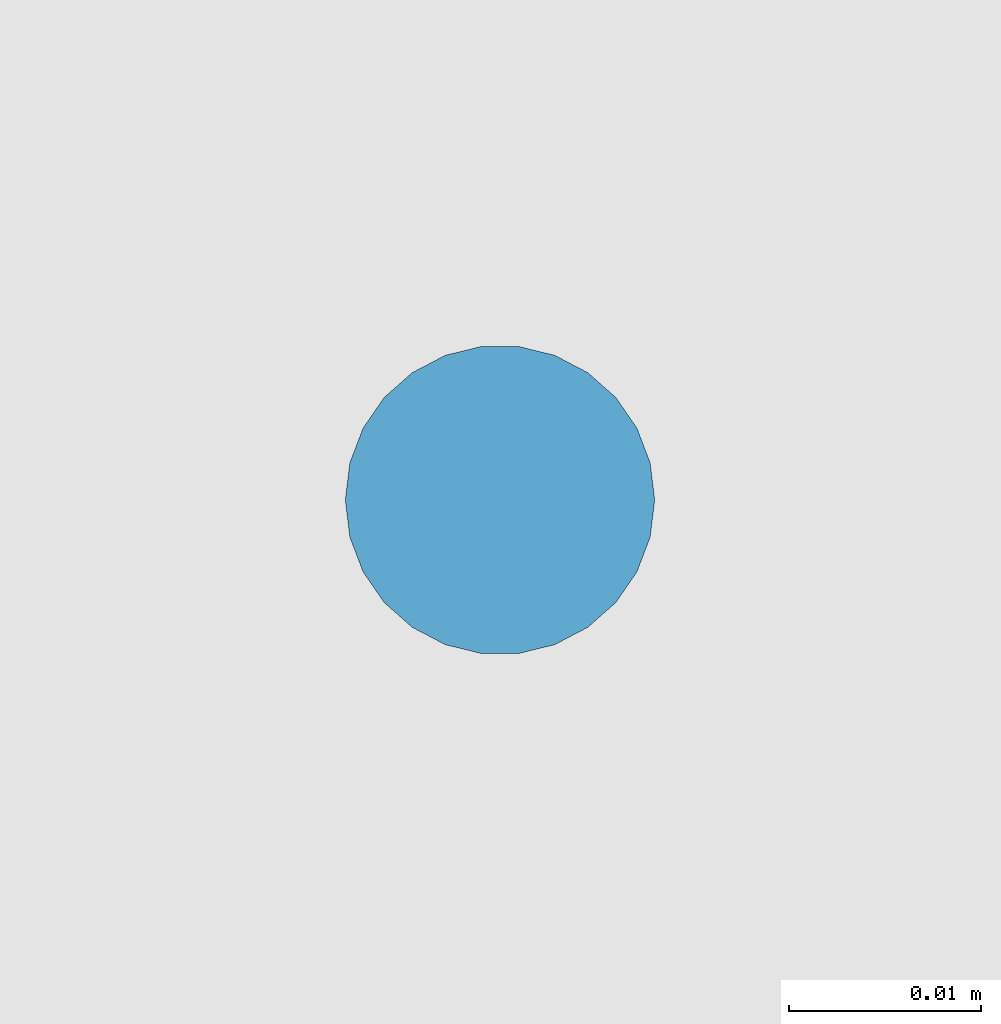
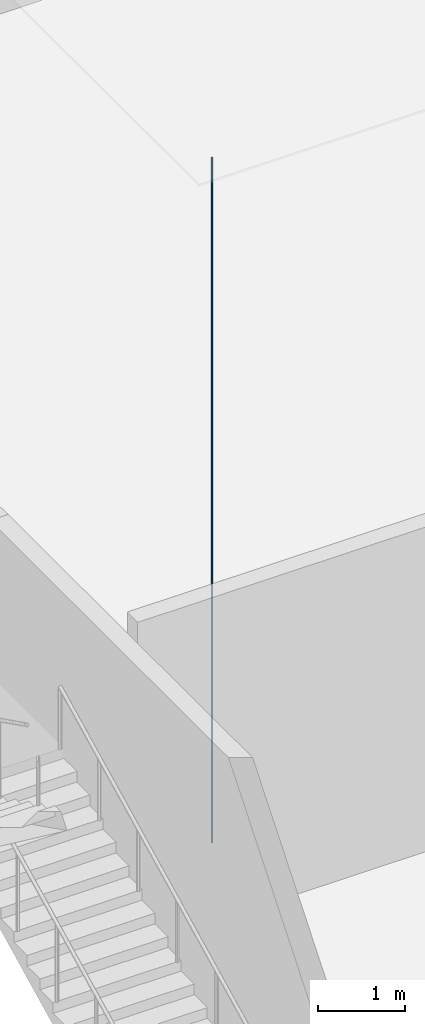
# One storey, part 62 of 82: 1 discrete accessory.
"""IFC4 building model written with IfcOpenShell, lengths in metres."""

from ifc_helpers import new_model, si_unit, direction, frame, origin, origin_2d, place, context, subcontext, project, spatial, circle, extrude, material, type_object, element, save


model = new_model("IFC4")

# Units and contexts
model_context = context("Model", 3, precision=1e-05, world=origin(), true_north=direction((0.0, 1.0)))
body_context = subcontext(model_context, "Body", "Model", "MODEL_VIEW")
ifc_project = project(units=[si_unit("LENGTHUNIT", "METRE"), si_unit("AREAUNIT", "SQUARE_METRE"), si_unit("VOLUMEUNIT", "CUBIC_METRE"), si_unit("PLANEANGLEUNIT", "RADIAN"), si_unit("MASSUNIT", "GRAM", prefix="KILO")], contexts=[model_context])

# Site, building, storey
site_placement = place(None, origin())
site = spatial("IfcSite", under=ifc_project, at=site_placement, CompositionType="ELEMENT")
building_placement = place(site_placement, origin())
building = spatial("IfcBuilding", under=site, at=building_placement, Name="Yukiwa Park Conservatory and Herbarium", CompositionType="ELEMENT")
storey_placement = place(building_placement, origin())
storey = spatial("IfcBuildingStorey", under=building, at=storey_placement, Name="L00", CompositionType="ELEMENT", Elevation=0.0)

# Discrete accessory
ifc_material = material(Name="Steel Q235B", Category="steel")
discrete_accessory_type = type_object("IfcDiscreteAccessoryType", Name="ACC-CEILING-HANGER", PredefinedType="BRACKET", material=ifc_material)
discrete_accessory_placement = place(storey_placement, frame((22.5, 88.39990234375, 8.625), z_axis=(0.0, 0.0, -1.0), x_axis=(1.0, 0.0, 0.0)))
element("IfcDiscreteAccessory", 1, at=discrete_accessory_placement, inside=storey, type_object=discrete_accessory_type, Name="Ceiling suspension hanger rod 9", PredefinedType="BRACKET", context=body_context, shape_type="SweptSolid", body=[
    extrude(circle(Radius=0.008056640625, at=origin_2d()), origin(), (0.0, 0.0, 1.0), 9.6201171875),
])

save(model, "model.ifc")
